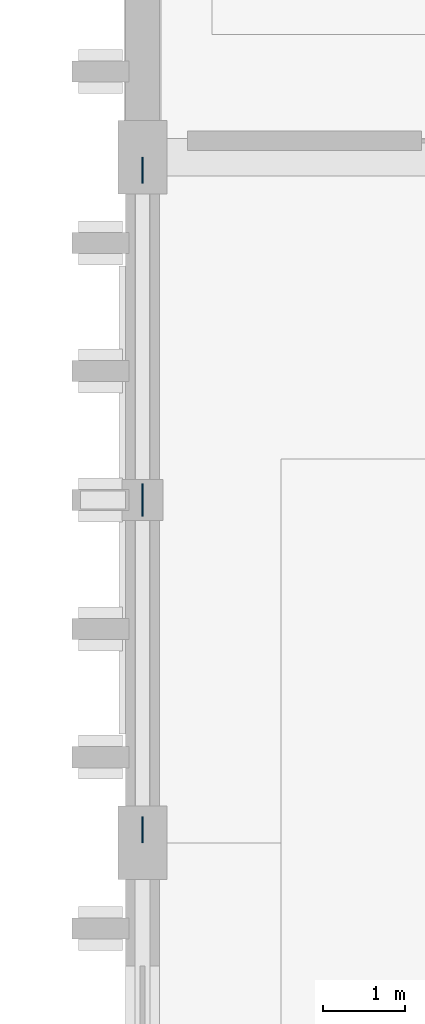
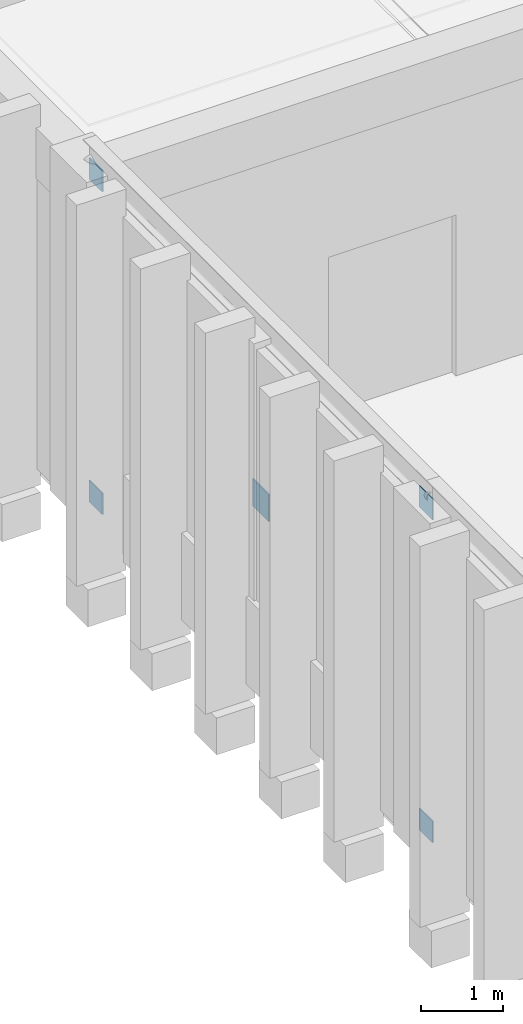
# One storey, part 97 of 143: 5 plates.
"""IFC4 building model written with IfcOpenShell, lengths in metres."""

from ifc_helpers import new_model, si_unit, direction, frame, origin, origin_2d, place, context, subcontext, project, spatial, rectangle, extrude, material, layer, layer_set, type_object, element, save


model = new_model("IFC4")

# Units and contexts
model_context = context("Model", 3, precision=1e-05, world=origin(), true_north=direction((0.0, 1.0)))
body_context = subcontext(model_context, "Body", "Model", "MODEL_VIEW")
ifc_project = project(units=[si_unit("LENGTHUNIT", "METRE"), si_unit("AREAUNIT", "SQUARE_METRE"), si_unit("VOLUMEUNIT", "CUBIC_METRE"), si_unit("PLANEANGLEUNIT", "RADIAN"), si_unit("MASSUNIT", "GRAM", prefix="KILO")], contexts=[model_context])

# Site, building, storey
site_placement = place(None, origin())
site = spatial("IfcSite", under=ifc_project, at=site_placement, CompositionType="ELEMENT")
building_placement = place(site_placement, origin())
building = spatial("IfcBuilding", under=site, at=building_placement, Name="Kveldsbrygga Polytechnic", CompositionType="ELEMENT")
storey_placement = place(building_placement, origin())
storey = spatial("IfcBuildingStorey", under=building, at=storey_placement, Name="L00", CompositionType="ELEMENT", Elevation=0.0)

# Plates
ifc_material = material(Name="Steel S355", Category="steel")
ifc_layer_1 = layer(ifc_material, 0.01806640625)
ifc_layer_set_1 = layer_set([ifc_layer_1], Name="Steel S355")
plate_type_1 = type_object("IfcPlateType", Name="GUS-BRACE-320", PredefinedType="SHEET", material=ifc_layer_set_1)
for number, where, z_axis, x_axis, name in (
    (1, (0.0, 75.760009765625, 0.0), (0.0, 0.0, 1.0), (1.0, 0.0, 0.0), "Portal Brace End Gusset XGP-VBR-L00-W-9-1"),
    (2, (0.0, 83.840087890625, 4.81982421875), (0.0, 0.0, 1.0), (1.0, 0.0, 0.0), "Portal Brace End Gusset XGP-VBR-L00-W-9-2"),
    (3, (0.0, 83.840087890625, 0.0), (0.0, 0.0, 1.0), (1.0, 0.0, 0.0), "Portal Brace End Gusset XGP-VBR-L00-W-9-3"),
    (4, (0.0, 75.760009765625, 4.81982421875), (0.0, 0.0, 1.0), (1.0, 0.0, 0.0), "Portal Brace End Gusset XGP-VBR-L00-W-9-4"),
):
    element("IfcPlate", number, at=place(storey_placement, frame(where, z_axis=z_axis, x_axis=x_axis)), inside=storey, type_object=plate_type_1, Name=name, PredefinedType="SHEET", context=body_context, shape_type="SweptSolid", body=[
        extrude(rectangle(XDim=0.01806640625, YDim=0.320068359375, at=origin_2d()), origin(), (0.0, 0.0, 1.0), 0.320068359375),
    ])
ifc_layer_2 = layer(ifc_material, 0.02001953125)
ifc_layer_set_2 = layer_set([ifc_layer_2], Name="Steel S355")
plate_type_2 = type_object("IfcPlateType", Name="GUS-XBRACE-400", PredefinedType="SHEET", material=ifc_layer_set_2)
plate_placement = place(storey_placement, frame((0.0, 79.800048828125, 2.3701171875), z_axis=(0.0, 0.0, 1.0), x_axis=(1.0, 0.0, 0.0)))
element("IfcPlate", 5, at=plate_placement, inside=storey, type_object=plate_type_2, Name="Portal X-Brace Crossing Gusset XGP-VBR-L00-W-9-C", PredefinedType="SHEET", context=body_context, shape_type="SweptSolid", body=[
    extrude(rectangle(XDim=0.02001953125, YDim=0.39990234375, at=origin_2d()), origin(), (0.0, 0.0, 1.0), 0.39990234375),
])

save(model, "model.ifc")
